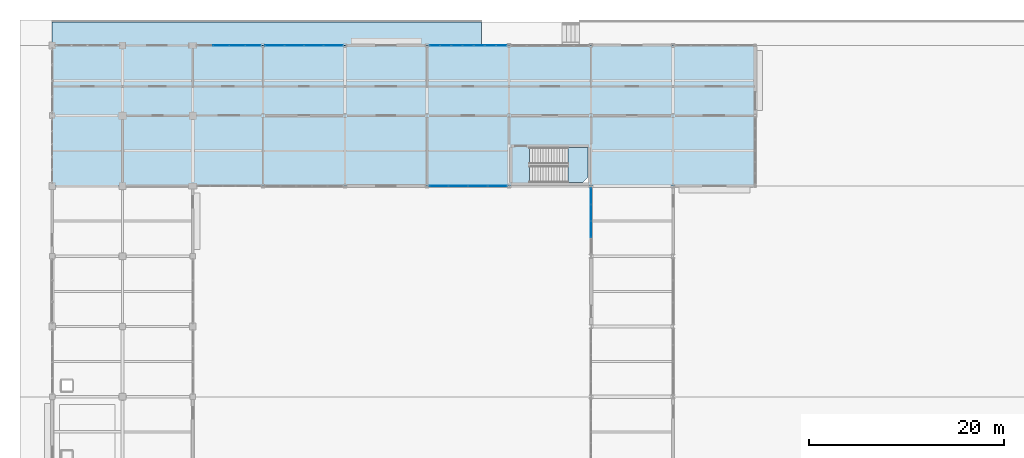
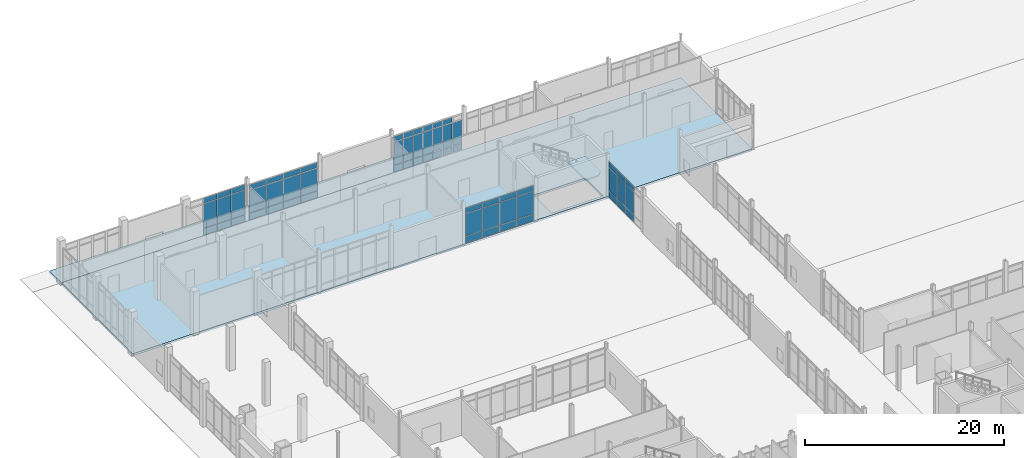
# One storey, part 149 of 229: 62 plates, 3 slabs, 6 elements without a shape of their own.
"""IFC4 building model written with IfcOpenShell, lengths in metres."""

from ifc_helpers import new_model, si_unit, direction, frame, origin, origin_2d, place, context, subcontext, project, spatial, polyline, rectangle, outline, extrude, material, layer, layer_set, type_object, element, aggregate, save


model = new_model("IFC4")

# Units and contexts
model_context = context("Model", 3, precision=1e-05, world=origin(), true_north=direction((0.0, 1.0)))
body_context = subcontext(model_context, "Body", "Model", "MODEL_VIEW")
ifc_project = project(units=[si_unit("LENGTHUNIT", "METRE"), si_unit("AREAUNIT", "SQUARE_METRE"), si_unit("VOLUMEUNIT", "CUBIC_METRE"), si_unit("PLANEANGLEUNIT", "RADIAN"), si_unit("MASSUNIT", "GRAM", prefix="KILO")], contexts=[model_context])

# Site, building, storey
site_placement = place(None, origin())
site = spatial("IfcSite", under=ifc_project, at=site_placement, CompositionType="ELEMENT")
building_placement = place(site_placement, origin())
building = spatial("IfcBuilding", under=site, at=building_placement, Name="Calvrana Isthmian Art Gallery", CompositionType="ELEMENT")
storey_placement = place(building_placement, origin())
storey = spatial("IfcBuildingStorey", under=building, at=storey_placement, Name="L00", CompositionType="ELEMENT", Elevation=0.0)

# Curtain wall, plates
ifc_material_1 = material(Name="Anodized bronze aluminium 6063-T6", Category="aluminium")
ifc_layer_1 = layer(ifc_material_1, 0.179931640625, Name="Anodized bronze aluminium 6063-T6")
ifc_layer_set_1 = layer_set([ifc_layer_1], Name="Anodized bronze aluminium 6063-T6")
curtain_wall_type_1 = type_object("IfcCurtainWallType", Name="CW-UNIT-080X44", PredefinedType="USERDEFINED", material=ifc_layer_set_1)
curtain_wall_1_placement = place(storey_placement, origin())
curtain_wall_1 = element("IfcCurtainWall", 1, at=curtain_wall_1_placement, inside=storey, type_object=curtain_wall_type_1, Name="Curtain wall CW-038", ObjectType="UNITISED CURTAIN WALL", PredefinedType="USERDEFINED")
ifc_material_2 = material(Name="Low-E laminated solar glass", Category="glass")
ifc_layer_2 = layer(ifc_material_2, 0.028076171875, Name="Low-E laminated solar glass")
ifc_layer_set_2 = layer_set([ifc_layer_2], Name="Low-E laminated solar glass")
plate_type = type_object("IfcPlateType", Name="CWP-VISION-28", PredefinedType="CURTAIN_PANEL", material=ifc_layer_set_2)
plate_1_placement = place(storey_placement, frame((45.595947265625, 98.39990234375, 0.070068359375), z_axis=(0.0, 0.0, 1.0), x_axis=(-1.0, 0.0, 0.0)))
plate_1 = element("IfcPlate", 2, at=plate_1_placement, type_object=plate_type, Name="CW-038 panel 1.1", PredefinedType="CURTAIN_PANEL", context=body_context, shape_type="SweptSolid", body=[
    extrude(rectangle(XDim=1.91015625, YDim=0.028076171875, at=origin_2d()), origin(), (0.0, 0.0, 1.0), 0.794921875),
])
plate_2_placement = place(storey_placement, frame((45.595947265625, 98.39990234375, 0.93505859375), z_axis=(0.0, 0.0, 1.0), x_axis=(-1.0, 0.0, 0.0)))
plate_2 = element("IfcPlate", 3, at=plate_2_placement, type_object=plate_type, Name="CW-038 panel 1.2", PredefinedType="CURTAIN_PANEL", context=body_context, shape_type="SweptSolid", body=[
    extrude(rectangle(XDim=1.91015625, YDim=0.028076171875, at=origin_2d()), origin(), (0.0, 0.0, 1.0), 2.72705078125),
])
plate_3_placement = place(storey_placement, frame((45.595947265625, 98.39990234375, 3.73193359375), z_axis=(0.0, 0.0, 1.0), x_axis=(-1.0, 0.0, 0.0)))
plate_3 = element("IfcPlate", 4, at=plate_3_placement, type_object=plate_type, Name="CW-038 panel 1.3", PredefinedType="CURTAIN_PANEL", context=body_context, shape_type="SweptSolid", body=[
    extrude(rectangle(XDim=1.91015625, YDim=0.028076171875, at=origin_2d()), origin(), (0.0, 0.0, 1.0), 0.64501953125),
])
plate_4_placement = place(storey_placement, frame((43.6044921875, 98.39990234375, 0.070068359375), z_axis=(0.0, 0.0, 1.0), x_axis=(-1.0, 0.0, 0.0)))
plate_4 = element("IfcPlate", 5, at=plate_4_placement, type_object=plate_type, Name="CW-038 panel 2.1", PredefinedType="CURTAIN_PANEL", context=body_context, shape_type="SweptSolid", body=[
    extrude(rectangle(XDim=1.942626953125, YDim=0.028076171875, at=origin_2d()), origin(), (0.0, 0.0, 1.0), 0.794921875),
])
plate_5_placement = place(storey_placement, frame((43.6044921875, 98.39990234375, 0.93505859375), z_axis=(0.0, 0.0, 1.0), x_axis=(-1.0, 0.0, 0.0)))
plate_5 = element("IfcPlate", 6, at=plate_5_placement, type_object=plate_type, Name="CW-038 panel 2.2", PredefinedType="CURTAIN_PANEL", context=body_context, shape_type="SweptSolid", body=[
    extrude(rectangle(XDim=1.942626953125, YDim=0.028076171875, at=origin_2d()), origin(), (0.0, 0.0, 1.0), 2.72705078125),
])
plate_6_placement = place(storey_placement, frame((43.6044921875, 98.39990234375, 3.73193359375), z_axis=(0.0, 0.0, 1.0), x_axis=(-1.0, 0.0, 0.0)))
plate_6 = element("IfcPlate", 7, at=plate_6_placement, type_object=plate_type, Name="CW-038 panel 2.3", PredefinedType="CURTAIN_PANEL", context=body_context, shape_type="SweptSolid", body=[
    extrude(rectangle(XDim=1.942626953125, YDim=0.028076171875, at=origin_2d()), origin(), (0.0, 0.0, 1.0), 0.64501953125),
])
plate_7_placement = place(storey_placement, frame((41.596923828125, 98.39990234375, 0.070068359375), z_axis=(0.0, 0.0, 1.0), x_axis=(-1.0, 0.0, 0.0)))
plate_7 = element("IfcPlate", 8, at=plate_7_placement, type_object=plate_type, Name="CW-038 panel 3.1", PredefinedType="CURTAIN_PANEL", context=body_context, shape_type="SweptSolid", body=[
    extrude(rectangle(XDim=1.942626953125, YDim=0.028076171875, at=origin_2d()), origin(), (0.0, 0.0, 1.0), 0.794921875),
])
plate_8_placement = place(storey_placement, frame((41.596923828125, 98.39990234375, 0.93505859375), z_axis=(0.0, 0.0, 1.0), x_axis=(-1.0, 0.0, 0.0)))
plate_8 = element("IfcPlate", 9, at=plate_8_placement, type_object=plate_type, Name="CW-038 panel 3.2", PredefinedType="CURTAIN_PANEL", context=body_context, shape_type="SweptSolid", body=[
    extrude(rectangle(XDim=1.942626953125, YDim=0.028076171875, at=origin_2d()), origin(), (0.0, 0.0, 1.0), 2.72705078125),
])
plate_9_placement = place(storey_placement, frame((41.596923828125, 98.39990234375, 3.73193359375), z_axis=(0.0, 0.0, 1.0), x_axis=(-1.0, 0.0, 0.0)))
plate_9 = element("IfcPlate", 10, at=plate_9_placement, type_object=plate_type, Name="CW-038 panel 3.3", PredefinedType="CURTAIN_PANEL", context=body_context, shape_type="SweptSolid", body=[
    extrude(rectangle(XDim=1.942626953125, YDim=0.028076171875, at=origin_2d()), origin(), (0.0, 0.0, 1.0), 0.64501953125),
])
plate_10_placement = place(storey_placement, frame((39.60546875, 98.39990234375, 0.070068359375), z_axis=(0.0, 0.0, 1.0), x_axis=(-1.0, 0.0, 0.0)))
plate_10 = element("IfcPlate", 11, at=plate_10_placement, type_object=plate_type, Name="CW-038 panel 4.1", PredefinedType="CURTAIN_PANEL", context=body_context, shape_type="SweptSolid", body=[
    extrude(rectangle(XDim=1.91015625, YDim=0.028076171875, at=origin_2d()), origin(), (0.0, 0.0, 1.0), 0.794921875),
])
plate_11_placement = place(storey_placement, frame((39.60546875, 98.39990234375, 0.93505859375), z_axis=(0.0, 0.0, 1.0), x_axis=(-1.0, 0.0, 0.0)))
plate_11 = element("IfcPlate", 12, at=plate_11_placement, type_object=plate_type, Name="CW-038 panel 4.2", PredefinedType="CURTAIN_PANEL", context=body_context, shape_type="SweptSolid", body=[
    extrude(rectangle(XDim=1.91015625, YDim=0.028076171875, at=origin_2d()), origin(), (0.0, 0.0, 1.0), 2.72705078125),
])
plate_12_placement = place(storey_placement, frame((39.60546875, 98.39990234375, 3.73193359375), z_axis=(0.0, 0.0, 1.0), x_axis=(-1.0, 0.0, 0.0)))
plate_12 = element("IfcPlate", 13, at=plate_12_placement, type_object=plate_type, Name="CW-038 panel 4.3", PredefinedType="CURTAIN_PANEL", context=body_context, shape_type="SweptSolid", body=[
    extrude(rectangle(XDim=1.91015625, YDim=0.028076171875, at=origin_2d()), origin(), (0.0, 0.0, 1.0), 0.64501953125),
])
aggregate(curtain_wall_1, [plate_1, plate_2, plate_3, plate_4, plate_5, plate_6, plate_7, plate_8, plate_9, plate_10, plate_11, plate_12])

ifc_layer_3 = layer(ifc_material_1, 0.179931640625, Name="Anodized bronze aluminium 6063-T6")
ifc_layer_set_3 = layer_set([ifc_layer_3], Name="Anodized bronze aluminium 6063-T6")
curtain_wall_type_2 = type_object("IfcCurtainWallType", Name="CW-STICK-066X47", PredefinedType="NOTDEFINED", material=ifc_layer_set_3)
curtain_wall_2_placement = place(storey_placement, origin())
curtain_wall_2 = element("IfcCurtainWall", 14, at=curtain_wall_2_placement, inside=storey, type_object=curtain_wall_type_2, Name="Curtain wall CW-042", PredefinedType="NOTDEFINED")
plate_13_placement = place(storey_placement, frame((17.311767578125, 112.800048828125, 0.06494140625), z_axis=(0.0, 0.0, 1.0), x_axis=(1.0, 0.0, 0.0)))
plate_13 = element("IfcPlate", 15, at=plate_13_placement, type_object=plate_type, Name="CW-042 panel 2.1", PredefinedType="CURTAIN_PANEL", context=body_context, shape_type="SweptSolid", body=[
    extrude(rectangle(XDim=1.5810546875, YDim=0.028076171875, at=origin_2d()), origin(), (0.0, 0.0, 1.0), 0.802490234375),
])
plate_14_placement = place(storey_placement, frame((17.311767578125, 112.800048828125, 0.9326171875), z_axis=(0.0, 0.0, 1.0), x_axis=(1.0, 0.0, 0.0)))
plate_14 = element("IfcPlate", 16, at=plate_14_placement, type_object=plate_type, Name="CW-042 panel 2.2", PredefinedType="CURTAIN_PANEL", context=body_context, shape_type="SweptSolid", body=[
    extrude(rectangle(XDim=1.5810546875, YDim=0.028076171875, at=origin_2d()), origin(), (0.0, 0.0, 1.0), 2.962890625),
])
plate_15_placement = place(storey_placement, frame((17.311767578125, 112.800048828125, 3.96044921875), z_axis=(0.0, 0.0, 1.0), x_axis=(1.0, 0.0, 0.0)))
plate_15 = element("IfcPlate", 17, at=plate_15_placement, type_object=plate_type, Name="CW-042 panel 2.3", PredefinedType="CURTAIN_PANEL", context=body_context, shape_type="SweptSolid", body=[
    extrude(rectangle(XDim=1.5810546875, YDim=0.028076171875, at=origin_2d()), origin(), (0.0, 0.0, 1.0), 0.652587890625),
])
plate_16_placement = place(storey_placement, frame((18.952880859375, 112.800048828125, 0.06494140625), z_axis=(0.0, 0.0, 1.0), x_axis=(1.0, 0.0, 0.0)))
plate_16 = element("IfcPlate", 18, at=plate_16_placement, type_object=plate_type, Name="CW-042 panel 3.1", PredefinedType="CURTAIN_PANEL", context=body_context, shape_type="SweptSolid", body=[
    extrude(rectangle(XDim=1.5810546875, YDim=0.028076171875, at=origin_2d()), origin(), (0.0, 0.0, 1.0), 0.802490234375),
])
plate_17_placement = place(storey_placement, frame((18.952880859375, 112.800048828125, 0.9326171875), z_axis=(0.0, 0.0, 1.0), x_axis=(1.0, 0.0, 0.0)))
plate_17 = element("IfcPlate", 19, at=plate_17_placement, type_object=plate_type, Name="CW-042 panel 3.2", PredefinedType="CURTAIN_PANEL", context=body_context, shape_type="SweptSolid", body=[
    extrude(rectangle(XDim=1.5810546875, YDim=0.028076171875, at=origin_2d()), origin(), (0.0, 0.0, 1.0), 2.962890625),
])
plate_18_placement = place(storey_placement, frame((18.952880859375, 112.800048828125, 3.96044921875), z_axis=(0.0, 0.0, 1.0), x_axis=(1.0, 0.0, 0.0)))
plate_18 = element("IfcPlate", 20, at=plate_18_placement, type_object=plate_type, Name="CW-042 panel 3.3", PredefinedType="CURTAIN_PANEL", context=body_context, shape_type="SweptSolid", body=[
    extrude(rectangle(XDim=1.5810546875, YDim=0.028076171875, at=origin_2d()), origin(), (0.0, 0.0, 1.0), 0.652587890625),
])
plate_19_placement = place(storey_placement, frame((20.578857421875, 112.800048828125, 0.06494140625), z_axis=(0.0, 0.0, 1.0), x_axis=(1.0, 0.0, 0.0)))
plate_19 = element("IfcPlate", 21, at=plate_19_placement, type_object=plate_type, Name="CW-042 panel 4.1", PredefinedType="CURTAIN_PANEL", context=body_context, shape_type="SweptSolid", body=[
    extrude(rectangle(XDim=1.551025390625, YDim=0.028076171875, at=origin_2d()), origin(), (0.0, 0.0, 1.0), 0.802490234375),
])
plate_20_placement = place(storey_placement, frame((20.578857421875, 112.800048828125, 0.9326171875), z_axis=(0.0, 0.0, 1.0), x_axis=(1.0, 0.0, 0.0)))
plate_20 = element("IfcPlate", 22, at=plate_20_placement, type_object=plate_type, Name="CW-042 panel 4.2", PredefinedType="CURTAIN_PANEL", context=body_context, shape_type="SweptSolid", body=[
    extrude(rectangle(XDim=1.551025390625, YDim=0.028076171875, at=origin_2d()), origin(), (0.0, 0.0, 1.0), 2.962890625),
])
plate_21_placement = place(storey_placement, frame((20.578857421875, 112.800048828125, 3.96044921875), z_axis=(0.0, 0.0, 1.0), x_axis=(1.0, 0.0, 0.0)))
plate_21 = element("IfcPlate", 23, at=plate_21_placement, type_object=plate_type, Name="CW-042 panel 4.3", PredefinedType="CURTAIN_PANEL", context=body_context, shape_type="SweptSolid", body=[
    extrude(rectangle(XDim=1.551025390625, YDim=0.028076171875, at=origin_2d()), origin(), (0.0, 0.0, 1.0), 0.652587890625),
])
aggregate(curtain_wall_2, [plate_13, plate_14, plate_15, plate_16, plate_17, plate_18, plate_19, plate_20, plate_21])

curtain_wall_3_placement = place(storey_placement, origin())
curtain_wall_3 = element("IfcCurtainWall", 24, at=curtain_wall_3_placement, inside=storey, type_object=curtain_wall_type_1, Name="Curtain wall CW-043", ObjectType="UNITISED CURTAIN WALL", PredefinedType="USERDEFINED")
plate_22_placement = place(storey_placement, frame((22.80419921875, 112.800048828125, 0.070068359375), z_axis=(0.0, 0.0, 1.0), x_axis=(1.0, 0.0, 0.0)))
plate_22 = element("IfcPlate", 25, at=plate_22_placement, type_object=plate_type, Name="CW-043 panel 1.1", PredefinedType="CURTAIN_PANEL", context=body_context, shape_type="SweptSolid", body=[
    extrude(rectangle(XDim=1.917724609375, YDim=0.028076171875, at=origin_2d()), origin(), (0.0, 0.0, 1.0), 0.794921875),
])
plate_23_placement = place(storey_placement, frame((22.80419921875, 112.800048828125, 0.93505859375), z_axis=(0.0, 0.0, 1.0), x_axis=(1.0, 0.0, 0.0)))
plate_23 = element("IfcPlate", 26, at=plate_23_placement, type_object=plate_type, Name="CW-043 panel 1.2", PredefinedType="CURTAIN_PANEL", context=body_context, shape_type="SweptSolid", body=[
    extrude(rectangle(XDim=1.917724609375, YDim=0.028076171875, at=origin_2d()), origin(), (0.0, 0.0, 1.0), 2.72705078125),
])
plate_24_placement = place(storey_placement, frame((22.80419921875, 112.800048828125, 3.73193359375), z_axis=(0.0, 0.0, 1.0), x_axis=(1.0, 0.0, 0.0)))
plate_24 = element("IfcPlate", 27, at=plate_24_placement, type_object=plate_type, Name="CW-043 panel 1.3", PredefinedType="CURTAIN_PANEL", context=body_context, shape_type="SweptSolid", body=[
    extrude(rectangle(XDim=1.917724609375, YDim=0.028076171875, at=origin_2d()), origin(), (0.0, 0.0, 1.0), 0.64501953125),
])
plate_25_placement = place(storey_placement, frame((24.796875, 112.800048828125, 0.070068359375), z_axis=(0.0, 0.0, 1.0), x_axis=(1.0, 0.0, 0.0)))
plate_25 = element("IfcPlate", 28, at=plate_25_placement, type_object=plate_type, Name="CW-043 panel 2.1", PredefinedType="CURTAIN_PANEL", context=body_context, shape_type="SweptSolid", body=[
    extrude(rectangle(XDim=1.947509765625, YDim=0.028076171875, at=origin_2d()), origin(), (0.0, 0.0, 1.0), 0.794921875),
])
plate_26_placement = place(storey_placement, frame((24.796875, 112.800048828125, 0.93505859375), z_axis=(0.0, 0.0, 1.0), x_axis=(1.0, 0.0, 0.0)))
plate_26 = element("IfcPlate", 29, at=plate_26_placement, type_object=plate_type, Name="CW-043 panel 2.2", PredefinedType="CURTAIN_PANEL", context=body_context, shape_type="SweptSolid", body=[
    extrude(rectangle(XDim=1.947509765625, YDim=0.028076171875, at=origin_2d()), origin(), (0.0, 0.0, 1.0), 2.72705078125),
])
plate_27_placement = place(storey_placement, frame((24.796875, 112.800048828125, 3.73193359375), z_axis=(0.0, 0.0, 1.0), x_axis=(1.0, 0.0, 0.0)))
plate_27 = element("IfcPlate", 30, at=plate_27_placement, type_object=plate_type, Name="CW-043 panel 2.3", PredefinedType="CURTAIN_PANEL", context=body_context, shape_type="SweptSolid", body=[
    extrude(rectangle(XDim=1.947509765625, YDim=0.028076171875, at=origin_2d()), origin(), (0.0, 0.0, 1.0), 0.64501953125),
])
plate_28_placement = place(storey_placement, frame((26.804443359375, 112.800048828125, 0.070068359375), z_axis=(0.0, 0.0, 1.0), x_axis=(1.0, 0.0, 0.0)))
plate_28 = element("IfcPlate", 31, at=plate_28_placement, type_object=plate_type, Name="CW-043 panel 3.1", PredefinedType="CURTAIN_PANEL", context=body_context, shape_type="SweptSolid", body=[
    extrude(rectangle(XDim=1.947509765625, YDim=0.028076171875, at=origin_2d()), origin(), (0.0, 0.0, 1.0), 0.794921875),
])
plate_29_placement = place(storey_placement, frame((26.804443359375, 112.800048828125, 0.93505859375), z_axis=(0.0, 0.0, 1.0), x_axis=(1.0, 0.0, 0.0)))
plate_29 = element("IfcPlate", 32, at=plate_29_placement, type_object=plate_type, Name="CW-043 panel 3.2", PredefinedType="CURTAIN_PANEL", context=body_context, shape_type="SweptSolid", body=[
    extrude(rectangle(XDim=1.947509765625, YDim=0.028076171875, at=origin_2d()), origin(), (0.0, 0.0, 1.0), 2.72705078125),
])
plate_30_placement = place(storey_placement, frame((26.804443359375, 112.800048828125, 3.73193359375), z_axis=(0.0, 0.0, 1.0), x_axis=(1.0, 0.0, 0.0)))
plate_30 = element("IfcPlate", 33, at=plate_30_placement, type_object=plate_type, Name="CW-043 panel 3.3", PredefinedType="CURTAIN_PANEL", context=body_context, shape_type="SweptSolid", body=[
    extrude(rectangle(XDim=1.947509765625, YDim=0.028076171875, at=origin_2d()), origin(), (0.0, 0.0, 1.0), 0.64501953125),
])
plate_31_placement = place(storey_placement, frame((28.797119140625, 112.800048828125, 0.070068359375), z_axis=(0.0, 0.0, 1.0), x_axis=(1.0, 0.0, 0.0)))
plate_31 = element("IfcPlate", 34, at=plate_31_placement, type_object=plate_type, Name="CW-043 panel 4.1", PredefinedType="CURTAIN_PANEL", context=body_context, shape_type="SweptSolid", body=[
    extrude(rectangle(XDim=1.917724609375, YDim=0.028076171875, at=origin_2d()), origin(), (0.0, 0.0, 1.0), 0.794921875),
])
plate_32_placement = place(storey_placement, frame((28.797119140625, 112.800048828125, 0.93505859375), z_axis=(0.0, 0.0, 1.0), x_axis=(1.0, 0.0, 0.0)))
plate_32 = element("IfcPlate", 35, at=plate_32_placement, type_object=plate_type, Name="CW-043 panel 4.2", PredefinedType="CURTAIN_PANEL", context=body_context, shape_type="SweptSolid", body=[
    extrude(rectangle(XDim=1.917724609375, YDim=0.028076171875, at=origin_2d()), origin(), (0.0, 0.0, 1.0), 2.72705078125),
])
plate_33_placement = place(storey_placement, frame((28.797119140625, 112.800048828125, 3.73193359375), z_axis=(0.0, 0.0, 1.0), x_axis=(1.0, 0.0, 0.0)))
plate_33 = element("IfcPlate", 36, at=plate_33_placement, type_object=plate_type, Name="CW-043 panel 4.3", PredefinedType="CURTAIN_PANEL", context=body_context, shape_type="SweptSolid", body=[
    extrude(rectangle(XDim=1.917724609375, YDim=0.028076171875, at=origin_2d()), origin(), (0.0, 0.0, 1.0), 0.64501953125),
])
aggregate(curtain_wall_3, [plate_22, plate_23, plate_24, plate_25, plate_26, plate_27, plate_28, plate_29, plate_30, plate_31, plate_32, plate_33])

ifc_layer_4 = layer(ifc_material_1, 0.179931640625, Name="Anodized bronze aluminium 6063-T6")
ifc_layer_set_4 = layer_set([ifc_layer_4], Name="Anodized bronze aluminium 6063-T6")
curtain_wall_type_3 = type_object("IfcCurtainWallType", Name="CW-STICK-080X45", PredefinedType="NOTDEFINED", material=ifc_layer_set_4)
curtain_wall_4_placement = place(storey_placement, origin())
curtain_wall_4 = element("IfcCurtainWall", 37, at=curtain_wall_4_placement, inside=storey, type_object=curtain_wall_type_3, Name="Curtain wall CW-044", PredefinedType="NOTDEFINED")
plate_34_placement = place(storey_placement, frame((39.176025390625, 112.800048828125, 0.074951171875), z_axis=(0.0, 0.0, 1.0), x_axis=(1.0, 0.0, 0.0)))
plate_34 = element("IfcPlate", 38, at=plate_34_placement, type_object=plate_type, Name="CW-044 panel 1.1", PredefinedType="CURTAIN_PANEL", context=body_context, shape_type="SweptSolid", body=[
    extrude(rectangle(XDim=1.04931640625, YDim=0.028076171875, at=origin_2d()), origin(), (0.0, 0.0, 1.0), 0.78759765625),
])
plate_35_placement = place(storey_placement, frame((39.176025390625, 112.800048828125, 0.9375), z_axis=(0.0, 0.0, 1.0), x_axis=(1.0, 0.0, 0.0)))
plate_35 = element("IfcPlate", 39, at=plate_35_placement, type_object=plate_type, Name="CW-044 panel 1.2", PredefinedType="CURTAIN_PANEL", context=body_context, shape_type="SweptSolid", body=[
    extrude(rectangle(XDim=1.04931640625, YDim=0.028076171875, at=origin_2d()), origin(), (0.0, 0.0, 1.0), 2.802978515625),
])
plate_36_placement = place(storey_placement, frame((39.176025390625, 112.800048828125, 3.8154296875), z_axis=(0.0, 0.0, 1.0), x_axis=(1.0, 0.0, 0.0)))
plate_36 = element("IfcPlate", 40, at=plate_36_placement, type_object=plate_type, Name="CW-044 panel 1.3", PredefinedType="CURTAIN_PANEL", context=body_context, shape_type="SweptSolid", body=[
    extrude(rectangle(XDim=1.04931640625, YDim=0.028076171875, at=origin_2d()), origin(), (0.0, 0.0, 1.0), 0.637451171875),
])
plate_37_placement = place(storey_placement, frame((40.306640625, 112.800048828125, 0.074951171875), z_axis=(0.0, 0.0, 1.0), x_axis=(1.0, 0.0, 0.0)))
plate_37 = element("IfcPlate", 41, at=plate_37_placement, type_object=plate_type, Name="CW-044 panel 2.1", PredefinedType="CURTAIN_PANEL", context=body_context, shape_type="SweptSolid", body=[
    extrude(rectangle(XDim=1.081787109375, YDim=0.028076171875, at=origin_2d()), origin(), (0.0, 0.0, 1.0), 0.78759765625),
])
plate_38_placement = place(storey_placement, frame((40.306640625, 112.800048828125, 0.9375), z_axis=(0.0, 0.0, 1.0), x_axis=(1.0, 0.0, 0.0)))
plate_38 = element("IfcPlate", 42, at=plate_38_placement, type_object=plate_type, Name="CW-044 panel 2.2", PredefinedType="CURTAIN_PANEL", context=body_context, shape_type="SweptSolid", body=[
    extrude(rectangle(XDim=1.081787109375, YDim=0.028076171875, at=origin_2d()), origin(), (0.0, 0.0, 1.0), 2.802978515625),
])
plate_39_placement = place(storey_placement, frame((40.306640625, 112.800048828125, 3.8154296875), z_axis=(0.0, 0.0, 1.0), x_axis=(1.0, 0.0, 0.0)))
plate_39 = element("IfcPlate", 43, at=plate_39_placement, type_object=plate_type, Name="CW-044 panel 2.3", PredefinedType="CURTAIN_PANEL", context=body_context, shape_type="SweptSolid", body=[
    extrude(rectangle(XDim=1.081787109375, YDim=0.028076171875, at=origin_2d()), origin(), (0.0, 0.0, 1.0), 0.637451171875),
])
plate_40_placement = place(storey_placement, frame((41.453369140625, 112.800048828125, 0.074951171875), z_axis=(0.0, 0.0, 1.0), x_axis=(1.0, 0.0, 0.0)))
plate_40 = element("IfcPlate", 44, at=plate_40_placement, type_object=plate_type, Name="CW-044 panel 3.1", PredefinedType="CURTAIN_PANEL", context=body_context, shape_type="SweptSolid", body=[
    extrude(rectangle(XDim=1.081787109375, YDim=0.028076171875, at=origin_2d()), origin(), (0.0, 0.0, 1.0), 0.78759765625),
])
plate_41_placement = place(storey_placement, frame((41.453369140625, 112.800048828125, 0.9375), z_axis=(0.0, 0.0, 1.0), x_axis=(1.0, 0.0, 0.0)))
plate_41 = element("IfcPlate", 45, at=plate_41_placement, type_object=plate_type, Name="CW-044 panel 3.2", PredefinedType="CURTAIN_PANEL", context=body_context, shape_type="SweptSolid", body=[
    extrude(rectangle(XDim=1.081787109375, YDim=0.028076171875, at=origin_2d()), origin(), (0.0, 0.0, 1.0), 2.802978515625),
])
plate_42_placement = place(storey_placement, frame((41.453369140625, 112.800048828125, 3.8154296875), z_axis=(0.0, 0.0, 1.0), x_axis=(1.0, 0.0, 0.0)))
plate_42 = element("IfcPlate", 46, at=plate_42_placement, type_object=plate_type, Name="CW-044 panel 3.3", PredefinedType="CURTAIN_PANEL", context=body_context, shape_type="SweptSolid", body=[
    extrude(rectangle(XDim=1.081787109375, YDim=0.028076171875, at=origin_2d()), origin(), (0.0, 0.0, 1.0), 0.637451171875),
])
plate_43_placement = place(storey_placement, frame((42.60009765625, 112.800048828125, 0.074951171875), z_axis=(0.0, 0.0, 1.0), x_axis=(1.0, 0.0, 0.0)))
plate_43 = element("IfcPlate", 47, at=plate_43_placement, type_object=plate_type, Name="CW-044 panel 4.1", PredefinedType="CURTAIN_PANEL", context=body_context, shape_type="SweptSolid", body=[
    extrude(rectangle(XDim=1.081787109375, YDim=0.028076171875, at=origin_2d()), origin(), (0.0, 0.0, 1.0), 0.78759765625),
])
plate_44_placement = place(storey_placement, frame((42.60009765625, 112.800048828125, 0.9375), z_axis=(0.0, 0.0, 1.0), x_axis=(1.0, 0.0, 0.0)))
plate_44 = element("IfcPlate", 48, at=plate_44_placement, type_object=plate_type, Name="CW-044 panel 4.2", PredefinedType="CURTAIN_PANEL", context=body_context, shape_type="SweptSolid", body=[
    extrude(rectangle(XDim=1.081787109375, YDim=0.028076171875, at=origin_2d()), origin(), (0.0, 0.0, 1.0), 2.802978515625),
])
plate_45_placement = place(storey_placement, frame((42.60009765625, 112.800048828125, 3.8154296875), z_axis=(0.0, 0.0, 1.0), x_axis=(1.0, 0.0, 0.0)))
plate_45 = element("IfcPlate", 49, at=plate_45_placement, type_object=plate_type, Name="CW-044 panel 4.3", PredefinedType="CURTAIN_PANEL", context=body_context, shape_type="SweptSolid", body=[
    extrude(rectangle(XDim=1.081787109375, YDim=0.028076171875, at=origin_2d()), origin(), (0.0, 0.0, 1.0), 0.637451171875),
])
plate_46_placement = place(storey_placement, frame((43.746826171875, 112.800048828125, 0.074951171875), z_axis=(0.0, 0.0, 1.0), x_axis=(1.0, 0.0, 0.0)))
plate_46 = element("IfcPlate", 50, at=plate_46_placement, type_object=plate_type, Name="CW-044 panel 5.1", PredefinedType="CURTAIN_PANEL", context=body_context, shape_type="SweptSolid", body=[
    extrude(rectangle(XDim=1.081787109375, YDim=0.028076171875, at=origin_2d()), origin(), (0.0, 0.0, 1.0), 0.78759765625),
])
plate_47_placement = place(storey_placement, frame((43.746826171875, 112.800048828125, 0.9375), z_axis=(0.0, 0.0, 1.0), x_axis=(1.0, 0.0, 0.0)))
plate_47 = element("IfcPlate", 51, at=plate_47_placement, type_object=plate_type, Name="CW-044 panel 5.2", PredefinedType="CURTAIN_PANEL", context=body_context, shape_type="SweptSolid", body=[
    extrude(rectangle(XDim=1.081787109375, YDim=0.028076171875, at=origin_2d()), origin(), (0.0, 0.0, 1.0), 2.802978515625),
])
plate_48_placement = place(storey_placement, frame((43.746826171875, 112.800048828125, 3.8154296875), z_axis=(0.0, 0.0, 1.0), x_axis=(1.0, 0.0, 0.0)))
plate_48 = element("IfcPlate", 52, at=plate_48_placement, type_object=plate_type, Name="CW-044 panel 5.3", PredefinedType="CURTAIN_PANEL", context=body_context, shape_type="SweptSolid", body=[
    extrude(rectangle(XDim=1.081787109375, YDim=0.028076171875, at=origin_2d()), origin(), (0.0, 0.0, 1.0), 0.637451171875),
])
plate_49_placement = place(storey_placement, frame((44.893310546875, 112.800048828125, 0.074951171875), z_axis=(0.0, 0.0, 1.0), x_axis=(1.0, 0.0, 0.0)))
plate_49 = element("IfcPlate", 53, at=plate_49_placement, type_object=plate_type, Name="CW-044 panel 6.1", PredefinedType="CURTAIN_PANEL", context=body_context, shape_type="SweptSolid", body=[
    extrude(rectangle(XDim=1.081787109375, YDim=0.028076171875, at=origin_2d()), origin(), (0.0, 0.0, 1.0), 0.78759765625),
])
plate_50_placement = place(storey_placement, frame((44.893310546875, 112.800048828125, 0.9375), z_axis=(0.0, 0.0, 1.0), x_axis=(1.0, 0.0, 0.0)))
plate_50 = element("IfcPlate", 54, at=plate_50_placement, type_object=plate_type, Name="CW-044 panel 6.2", PredefinedType="CURTAIN_PANEL", context=body_context, shape_type="SweptSolid", body=[
    extrude(rectangle(XDim=1.081787109375, YDim=0.028076171875, at=origin_2d()), origin(), (0.0, 0.0, 1.0), 2.802978515625),
])
plate_51_placement = place(storey_placement, frame((44.893310546875, 112.800048828125, 3.8154296875), z_axis=(0.0, 0.0, 1.0), x_axis=(1.0, 0.0, 0.0)))
plate_51 = element("IfcPlate", 55, at=plate_51_placement, type_object=plate_type, Name="CW-044 panel 6.3", PredefinedType="CURTAIN_PANEL", context=body_context, shape_type="SweptSolid", body=[
    extrude(rectangle(XDim=1.081787109375, YDim=0.028076171875, at=origin_2d()), origin(), (0.0, 0.0, 1.0), 0.637451171875),
])
plate_52_placement = place(storey_placement, frame((46.02392578125, 112.800048828125, 0.074951171875), z_axis=(0.0, 0.0, 1.0), x_axis=(1.0, 0.0, 0.0)))
plate_52 = element("IfcPlate", 56, at=plate_52_placement, type_object=plate_type, Name="CW-044 panel 7.1", PredefinedType="CURTAIN_PANEL", context=body_context, shape_type="SweptSolid", body=[
    extrude(rectangle(XDim=1.04931640625, YDim=0.028076171875, at=origin_2d()), origin(), (0.0, 0.0, 1.0), 0.78759765625),
])
plate_53_placement = place(storey_placement, frame((46.02392578125, 112.800048828125, 0.9375), z_axis=(0.0, 0.0, 1.0), x_axis=(1.0, 0.0, 0.0)))
plate_53 = element("IfcPlate", 57, at=plate_53_placement, type_object=plate_type, Name="CW-044 panel 7.2", PredefinedType="CURTAIN_PANEL", context=body_context, shape_type="SweptSolid", body=[
    extrude(rectangle(XDim=1.04931640625, YDim=0.028076171875, at=origin_2d()), origin(), (0.0, 0.0, 1.0), 2.802978515625),
])
aggregate(curtain_wall_4, [plate_34, plate_35, plate_36, plate_37, plate_38, plate_39, plate_40, plate_41, plate_42, plate_43, plate_44, plate_45, plate_46, plate_47, plate_48, plate_49, plate_50, plate_51, plate_52, plate_53])

ifc_layer_5 = layer(ifc_material_1, 0.179931640625, Name="Anodized bronze aluminium 6063-T6")
ifc_layer_set_5 = layer_set([ifc_layer_5], Name="Anodized bronze aluminium 6063-T6")
curtain_wall_type_4 = type_object("IfcCurtainWallType", Name="CW-STICK-068X45", PredefinedType="NOTDEFINED", material=ifc_layer_set_5)
curtain_wall_5_placement = place(storey_placement, origin())
curtain_wall_5 = element("IfcCurtainWall", 58, at=curtain_wall_5_placement, inside=storey, type_object=curtain_wall_type_4, Name="Curtain wall CW-062", PredefinedType="NOTDEFINED")
plate_54_placement = place(storey_placement, frame((55.199951171875, 93.945068359375, 0.06494140625), z_axis=(0.0, 0.0, 1.0), x_axis=(0.0, 1.0, 0.0)))
plate_54 = element("IfcPlate", 59, at=plate_54_placement, type_object=plate_type, Name="CW-062 panel 2.1", PredefinedType="CURTAIN_PANEL", context=body_context, shape_type="SweptSolid", body=[
    extrude(rectangle(XDim=1.642333984375, YDim=0.028076171875, at=origin_2d()), origin(), (0.0, 0.0, 1.0), 0.802490234375),
])
plate_55_placement = place(storey_placement, frame((55.199951171875, 93.945068359375, 0.9326171875), z_axis=(0.0, 0.0, 1.0), x_axis=(0.0, 1.0, 0.0)))
plate_55 = element("IfcPlate", 60, at=plate_55_placement, type_object=plate_type, Name="CW-062 panel 2.2", PredefinedType="CURTAIN_PANEL", context=body_context, shape_type="SweptSolid", body=[
    extrude(rectangle(XDim=1.642333984375, YDim=0.028076171875, at=origin_2d()), origin(), (0.0, 0.0, 1.0), 2.818115234375),
])
plate_56_placement = place(storey_placement, frame((55.199951171875, 93.945068359375, 3.8154296875), z_axis=(0.0, 0.0, 1.0), x_axis=(0.0, 1.0, 0.0)))
plate_56 = element("IfcPlate", 61, at=plate_56_placement, type_object=plate_type, Name="CW-062 panel 2.3", PredefinedType="CURTAIN_PANEL", context=body_context, shape_type="SweptSolid", body=[
    extrude(rectangle(XDim=1.642333984375, YDim=0.028076171875, at=origin_2d()), origin(), (0.0, 0.0, 1.0), 0.652587890625),
])
plate_57_placement = place(storey_placement, frame((55.199951171875, 95.65234375, 0.06494140625), z_axis=(0.0, 0.0, 1.0), x_axis=(0.0, 1.0, 0.0)))
plate_57 = element("IfcPlate", 62, at=plate_57_placement, type_object=plate_type, Name="CW-062 panel 3.1", PredefinedType="CURTAIN_PANEL", context=body_context, shape_type="SweptSolid", body=[
    extrude(rectangle(XDim=1.642333984375, YDim=0.028076171875, at=origin_2d()), origin(), (0.0, 0.0, 1.0), 0.802490234375),
])
plate_58_placement = place(storey_placement, frame((55.199951171875, 95.65234375, 0.9326171875), z_axis=(0.0, 0.0, 1.0), x_axis=(0.0, 1.0, 0.0)))
plate_58 = element("IfcPlate", 63, at=plate_58_placement, type_object=plate_type, Name="CW-062 panel 3.2", PredefinedType="CURTAIN_PANEL", context=body_context, shape_type="SweptSolid", body=[
    extrude(rectangle(XDim=1.642333984375, YDim=0.028076171875, at=origin_2d()), origin(), (0.0, 0.0, 1.0), 2.818115234375),
])
plate_59_placement = place(storey_placement, frame((55.199951171875, 95.65234375, 3.8154296875), z_axis=(0.0, 0.0, 1.0), x_axis=(0.0, 1.0, 0.0)))
plate_59 = element("IfcPlate", 64, at=plate_59_placement, type_object=plate_type, Name="CW-062 panel 3.3", PredefinedType="CURTAIN_PANEL", context=body_context, shape_type="SweptSolid", body=[
    extrude(rectangle(XDim=1.642333984375, YDim=0.028076171875, at=origin_2d()), origin(), (0.0, 0.0, 1.0), 0.652587890625),
])
plate_60_placement = place(storey_placement, frame((55.199951171875, 97.343505859375, 0.06494140625), z_axis=(0.0, 0.0, 1.0), x_axis=(0.0, 1.0, 0.0)))
plate_60 = element("IfcPlate", 65, at=plate_60_placement, type_object=plate_type, Name="CW-062 panel 4.1", PredefinedType="CURTAIN_PANEL", context=body_context, shape_type="SweptSolid", body=[
    extrude(rectangle(XDim=1.60986328125, YDim=0.028076171875, at=origin_2d()), origin(), (0.0, 0.0, 1.0), 0.802490234375),
])
plate_61_placement = place(storey_placement, frame((55.199951171875, 97.343505859375, 0.9326171875), z_axis=(0.0, 0.0, 1.0), x_axis=(0.0, 1.0, 0.0)))
plate_61 = element("IfcPlate", 66, at=plate_61_placement, type_object=plate_type, Name="CW-062 panel 4.2", PredefinedType="CURTAIN_PANEL", context=body_context, shape_type="SweptSolid", body=[
    extrude(rectangle(XDim=1.60986328125, YDim=0.028076171875, at=origin_2d()), origin(), (0.0, 0.0, 1.0), 2.818115234375),
])
plate_62_placement = place(storey_placement, frame((55.199951171875, 97.343505859375, 3.8154296875), z_axis=(0.0, 0.0, 1.0), x_axis=(0.0, 1.0, 0.0)))
plate_62 = element("IfcPlate", 67, at=plate_62_placement, type_object=plate_type, Name="CW-062 panel 4.3", PredefinedType="CURTAIN_PANEL", context=body_context, shape_type="SweptSolid", body=[
    extrude(rectangle(XDim=1.60986328125, YDim=0.028076171875, at=origin_2d()), origin(), (0.0, 0.0, 1.0), 0.652587890625),
])
aggregate(curtain_wall_5, [plate_54, plate_55, plate_56, plate_57, plate_58, plate_59, plate_60, plate_61, plate_62])

# Slab
ifc_material_3 = material(Name="Concrete C40/50", Category="concrete")
ifc_layer_6 = layer(ifc_material_3, 0.260009765625, Name="Concrete C40/50")
ifc_layer_set_6 = layer_set([ifc_layer_6], Name="Concrete C40/50")
slab_type_1 = type_object("IfcSlabType", Name="SLB-GAL-260", PredefinedType="FLOOR", material=ifc_layer_set_6)
slab_1_placement = place(storey_placement, frame((0.0, 0.0, -0.260009765625)))
element("IfcSlab", 68, at=slab_1_placement, inside=storey, type_object=slab_type_1, Name="Floor slab V6N_L00", PredefinedType="FLOOR", context=body_context, shape_type="SweptSolid", body=[
    extrude(outline(polyline([(0.0, 98.39990234375), (72.0, 98.39990234375), (72.0, 112.800048828125), (0.0, 112.800048828125), (0.0, 98.39990234375)]), holes=[polyline([(48.89990234375, 98.75), (54.860107421875, 98.75), (54.860107421875, 102.35009765625), (48.89990234375, 102.35009765625), (48.89990234375, 98.75)])]), origin(), (0.0, 0.0, 1.0), 0.260009765625),
])

# Stair, slab
stair_type = type_object("IfcStairType", Name="STR-TSR-540", PredefinedType="TWO_STRAIGHT_RUN_STAIR", material=ifc_material_3)
stair_placement = place(storey_placement, origin())
stair = element("IfcStair", 69, at=stair_placement, inside=storey, type_object=stair_type, Name="Protected exit stair ST-6 (L00)", PredefinedType="TWO_STRAIGHT_RUN_STAIR")
ifc_layer_7 = layer(ifc_material_3, 0.199951171875, Name="Concrete C40/50")
ifc_layer_set_7 = layer_set([ifc_layer_7], Name="Concrete C40/50")
slab_type_2 = type_object("IfcSlabType", Name="SLB-LAND-200", PredefinedType="LANDING", material=ifc_layer_set_7)
slab_2_placement = place(storey_placement, frame((0.0, 0.0, 2.5)))
slab_2 = element("IfcSlab", 70, at=slab_2_placement, type_object=slab_type_2, Name="ST-6 landing 1", PredefinedType="LANDING", context=body_context, shape_type="SweptSolid", body=[
    extrude(outline(polyline([(52.820068359375, 98.75), (54.340087890625, 98.75), (54.860107421875, 99.27001953125), (54.860107421875, 102.35009765625), (52.820068359375, 102.35009765625), (52.820068359375, 98.75)])), origin(), (0.0, 0.0, 1.0), 0.199951171875),
])
aggregate(stair, [slab_2])

# Slab
ifc_layer_8 = layer(ifc_material_3, 0.199951171875, Name="Concrete C40/50")
ifc_layer_set_8 = layer_set([ifc_layer_8], Name="Concrete C40/50")
slab_type_3 = type_object("IfcSlabType", Name="SLB-TER-200", PredefinedType="FLOOR", material=ifc_layer_set_8)
slab_3_placement = place(storey_placement, frame((0.0, 0.0, -0.25)))
element("IfcSlab", 71, at=slab_3_placement, inside=storey, type_object=slab_type_3, Name="Courtyard and entry plaza deck SLB_APR_NORTH_W", PredefinedType="FLOOR", context=body_context, shape_type="SweptSolid", body=[
    extrude(outline(polyline([(44.0, 112.800048828125), (44.0, 115.199951171875), (0.0, 115.199951171875), (0.0, 112.800048828125), (44.0, 112.800048828125)])), origin(), (0.0, 0.0, 1.0), 0.25),
])

save(model, "model.ifc")
